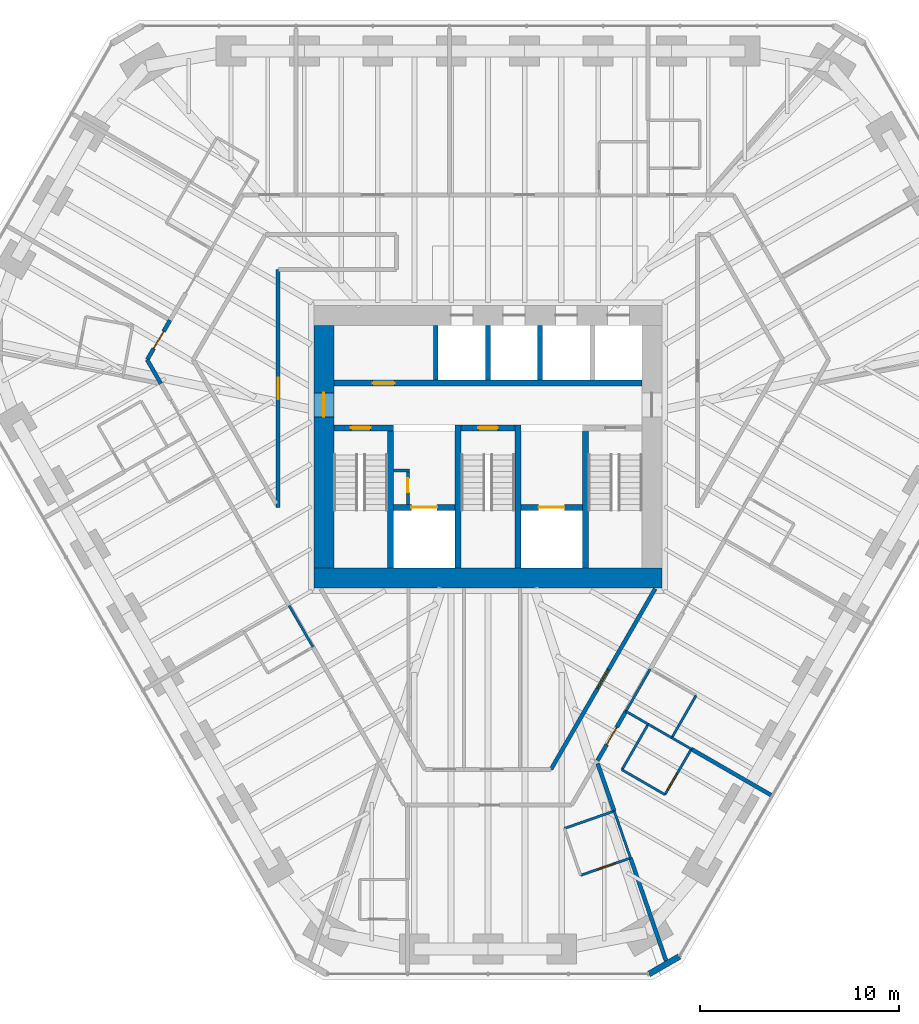
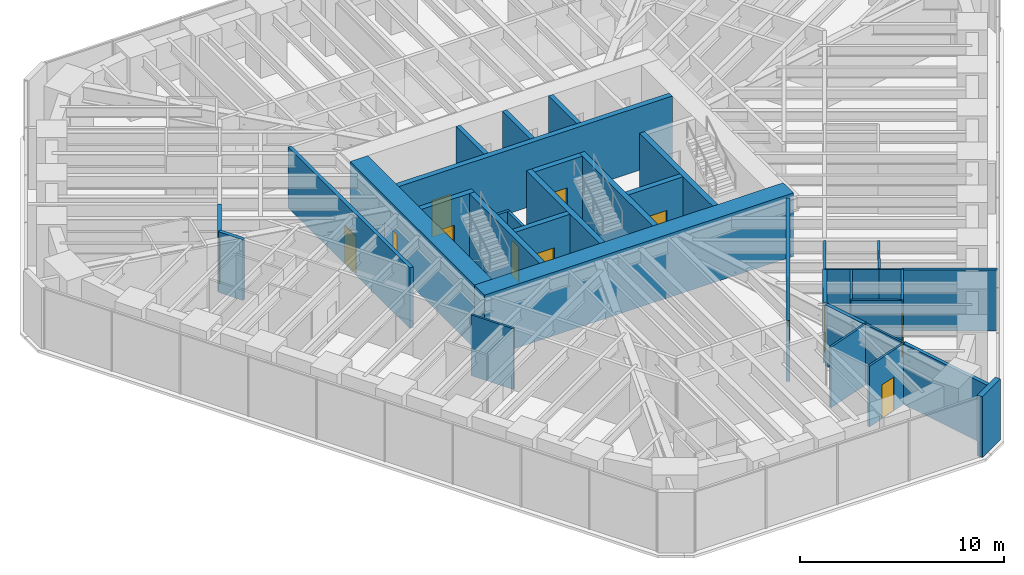
# One storey, part 12 of 16: 37 walls, 13 doors, 13 openings.
"""IFC4 building model written with IfcOpenShell, lengths in metres."""

from ifc_helpers import new_model, si_unit, direction, frame, frame_2d, origin, place, context, subcontext, project, spatial, rectangle, extrude, material, layer, layer_set, type_object, element, fill, save


model = new_model("IFC4")

# Units and contexts
model_context = context("Model", 3, precision=1e-05, world=origin(), true_north=direction((0.0, 1.0)))
body_context = subcontext(model_context, "Body", "Model", "MODEL_VIEW")
ifc_project = project(units=[si_unit("LENGTHUNIT", "METRE"), si_unit("AREAUNIT", "SQUARE_METRE"), si_unit("VOLUMEUNIT", "CUBIC_METRE"), si_unit("PLANEANGLEUNIT", "RADIAN"), si_unit("MASSUNIT", "GRAM", prefix="KILO")], contexts=[model_context])

# Site, building, storey
site_placement = place(None, origin())
site = spatial("IfcSite", under=ifc_project, at=site_placement, CompositionType="ELEMENT")
building_placement = place(site_placement, origin())
building = spatial("IfcBuilding", under=site, at=building_placement, Name="Sandreach Pilgrim Tower", CompositionType="ELEMENT")
storey_placement = place(building_placement, frame((0.0, 0.0, 225.0)))
storey = spatial("IfcBuildingStorey", under=building, at=storey_placement, Name="L56", CompositionType="ELEMENT", Elevation=225.0)

# Wall
ifc_material_1 = material(Name="Moisture-resistant gypsum board on steel studs", Category="steel")
ifc_layer_1 = layer(ifc_material_1, 0.1201171875)
ifc_layer_set_1 = layer_set([ifc_layer_1], Name="Bathroom partition 120")
wall_type_1 = type_object("IfcWallType", Name="Bathroom partition 120", PredefinedType="PARTITIONING", material=ifc_layer_set_1)
wall_1_placement = place(storey_placement, frame((-10.0, -8.0, 0.0), z_axis=(0.0, 0.0, 1.0), x_axis=(0.499693115345, -0.866202511239, 0.0)))
element("IfcWall", 1, at=wall_1_placement, inside=storey, type_object=wall_type_1, Name="Bathroom partition L56-040", PredefinedType="PARTITIONING", context=body_context, shape_type="SweptSolid", body=[
    extrude(rectangle(XDim=2.4013671875, YDim=0.1201171875, at=frame_2d((1.20068359375, 0.0))), origin(), (0.0, 0.0, 1.0), 3.639892578125),
])

# Wall, opening, door
wall_2_placement = place(storey_placement, frame((4.659912109375, -21.56005859375, 0.0), z_axis=(0.0, 0.0, 1.0), x_axis=(0.944838473769, 0.327536652126, 0.0)))
wall_2 = element("IfcWall", 2, at=wall_2_placement, inside=storey, type_object=wall_type_1, Name="Bathroom partition L56-068", PredefinedType="PARTITIONING", context=body_context, shape_type="SweptSolid", body=[
    extrude(rectangle(XDim=2.656494140625, YDim=0.1201171875, at=frame_2d((1.328125, 0.0))), origin(), (0.0, 0.0, 1.0), 3.639892578125),
])
opening_1_placement = place(wall_2_placement, frame((0.949951171875, 0.0, 0.0)))
opening_1 = element("IfcOpeningElement", 3, at=opening_1_placement, cuts=wall_2, Name="Opening D09-09B", PredefinedType="OPENING", context=body_context, shape_type="SweptSolid", body=[
    extrude(rectangle(XDim=0.89990234375, YDim=2.030029296875, at=frame_2d((0.449951171875, 1.01513671875))), frame((0.0, 0.06005859375, 0.0), z_axis=(0.0, -1.0, 0.0), x_axis=(1.0, 0.0, 0.0)), (0.0, 0.0, 1.0), 0.1201171875),
])
ifc_material_2 = material(Name="Timber door, steel frame", Category="steel")
door_type_1 = type_object("IfcDoorType", Name="Bathroom door", OperationType="SINGLE_SWING_LEFT", PredefinedType="DOOR", material=ifc_material_2)
door_1_placement = place(opening_1_placement, origin())
door_1 = element("IfcDoor", 4, at=door_1_placement, inside=storey, type_object=door_type_1, Name="Door 5609B", OperationType="SINGLE_SWING_RIGHT", OverallHeight=2.030029296875, OverallWidth=0.89990234375, PredefinedType="DOOR", context=body_context, shape_type="SweptSolid", body=[
    extrude(rectangle(XDim=0.89990234375, YDim=2.030029296875, at=frame_2d((0.449951171875, 1.01513671875))), frame((0.0, 0.02490234375, 0.0), z_axis=(0.0, -1.0, 0.0), x_axis=(1.0, 0.0, 0.0)), (0.0, 0.0, 1.0), 0.050048828125),
])
fill(opening_1, door_1)

# Walls
wall_3_placement = place(storey_placement, frame((6.35009765625, -18.330078125, 0.0), z_axis=(0.0, 0.0, 1.0), x_axis=(-0.944470666048, -0.328595740956, 0.0)))
element("IfcWall", 5, at=wall_3_placement, inside=storey, type_object=wall_type_1, Name="Bathroom partition L56-074", PredefinedType="PARTITIONING", context=body_context, shape_type="SweptSolid", body=[
    extrude(rectangle(XDim=2.647216796875, YDim=0.1201171875, at=frame_2d((1.32373046875, 0.0))), origin(), (0.0, 0.0, 1.0), 3.639892578125),
])
wall_4_placement = place(storey_placement, frame((6.35009765625, -18.330078125, 0.0), z_axis=(0.0, 0.0, 1.0), x_axis=(0.328164304993, -0.944620658745, 0.0)))
element("IfcWall", 6, at=wall_4_placement, inside=storey, type_object=wall_type_1, Name="Bathroom partition L56-075", PredefinedType="PARTITIONING", context=body_context, shape_type="SweptSolid", body=[
    extrude(rectangle(XDim=2.498291015625, YDim=0.1201171875, at=frame_2d((1.2490234375, 0.0))), origin(), (0.0, 0.0, 1.0), 3.639892578125),
])
wall_5_placement = place(storey_placement, frame((6.739990234375, -16.25, 0.0), z_axis=(0.0, 0.0, 1.0), x_axis=(0.865508881864, -0.500893576935, 0.0)))
element("IfcWall", 7, at=wall_5_placement, inside=storey, type_object=wall_type_1, Name="Bathroom partition L56-076", PredefinedType="PARTITIONING", context=body_context, shape_type="SweptSolid", body=[
    extrude(rectangle(XDim=2.49560546875, YDim=0.1201171875, at=frame_2d((1.247802734375, 0.0))), origin(), (0.0, 0.0, 1.0), 3.639892578125),
])
wall_6_placement = place(storey_placement, frame((6.93994140625, -13.31005859375, 0.0), z_axis=(0.0, 0.0, 1.0), x_axis=(0.864952631286, -0.501853510132, 0.0)))
element("IfcWall", 8, at=wall_6_placement, inside=storey, type_object=wall_type_1, Name="Bathroom partition L56-077", PredefinedType="PARTITIONING", context=body_context, shape_type="SweptSolid", body=[
    extrude(rectangle(XDim=1.294921875, YDim=0.1201171875, at=frame_2d((0.6474609375, 0.0))), origin(), (0.0, 0.0, 1.0), 3.639892578125),
])
wall_7_placement = place(storey_placement, frame((6.93994140625, -13.31005859375, 0.0), z_axis=(0.0, 0.0, 1.0), x_axis=(0.498748634132, 0.866746675766, 0.0)))
element("IfcWall", 9, at=wall_7_placement, inside=storey, type_object=wall_type_1, Name="Bathroom partition L56-078", PredefinedType="PARTITIONING", context=body_context, shape_type="SweptSolid", body=[
    extrude(rectangle(XDim=2.446044921875, YDim=0.1201171875, at=frame_2d((1.22314453125, 0.0))), origin(), (0.0, 0.0, 1.0), 3.639892578125),
])
wall_8_placement = place(storey_placement, frame((8.06005859375, -13.9599609375, 0.0), z_axis=(0.0, 0.0, 1.0), x_axis=(-0.499407914056, -0.866366975004, 0.0)))
element("IfcWall", 10, at=wall_8_placement, inside=storey, type_object=wall_type_1, Name="Bathroom partition L56-080", PredefinedType="PARTITIONING", context=body_context, shape_type="SweptSolid", body=[
    extrude(rectangle(XDim=2.643310546875, YDim=0.1201171875, at=frame_2d((1.32177734375, 0.0))), origin(), (0.0, 0.0, 1.0), 3.639892578125),
])
wall_9_placement = place(storey_placement, frame((8.06005859375, -13.9599609375, 0.0), z_axis=(0.0, 0.0, 1.0), x_axis=(0.866505716338, -0.499167149914, 0.0)))
element("IfcWall", 11, at=wall_9_placement, inside=storey, type_object=wall_type_1, Name="Bathroom partition L56-081", PredefinedType="PARTITIONING", context=body_context, shape_type="SweptSolid", body=[
    extrude(rectangle(XDim=1.370361328125, YDim=0.1201171875, at=frame_2d((0.68505859375, 0.0))), origin(), (0.0, 0.0, 1.0), 3.639892578125),
])

# Wall, opening, door
wall_10_placement = place(storey_placement, frame((8.89990234375, -17.5, 0.0), z_axis=(0.0, 0.0, 1.0), x_axis=(0.502242265546, 0.864726954997, 0.0)))
wall_10 = element("IfcWall", 12, at=wall_10_placement, inside=storey, type_object=wall_type_1, Name="Bathroom partition L56-091", PredefinedType="PARTITIONING", context=body_context, shape_type="SweptSolid", body=[
    extrude(rectangle(XDim=2.648193359375, YDim=0.1201171875, at=frame_2d((1.32421875, 0.0))), origin(), (0.0, 0.0, 1.0), 3.639892578125),
])
opening_2_placement = place(wall_10_placement, frame((0.300048828125, 0.0, 0.0)))
opening_2 = element("IfcOpeningElement", 13, at=opening_2_placement, cuts=wall_10, Name="Opening D09-08B", PredefinedType="OPENING", context=body_context, shape_type="SweptSolid", body=[
    extrude(rectangle(XDim=0.89990234375, YDim=2.030029296875, at=frame_2d((0.449951171875, 1.01513671875))), frame((0.0, 0.06005859375, 0.0), z_axis=(0.0, -1.0, 0.0), x_axis=(1.0, 0.0, 0.0)), (0.0, 0.0, 1.0), 0.1201171875),
])
door_2_placement = place(opening_2_placement, origin())
door_2 = element("IfcDoor", 14, at=door_2_placement, inside=storey, type_object=door_type_1, Name="Door 5608B", OperationType="SINGLE_SWING_LEFT", OverallHeight=2.030029296875, OverallWidth=0.89990234375, PredefinedType="DOOR", context=body_context, shape_type="SweptSolid", body=[
    extrude(rectangle(XDim=0.89990234375, YDim=2.030029296875, at=frame_2d((0.449951171875, 1.01513671875))), frame((0.0, 0.02490234375, 0.0), z_axis=(0.0, -1.0, 0.0), x_axis=(1.0, 0.0, 0.0)), (0.0, 0.0, 1.0), 0.050048828125),
])
fill(opening_2, door_2)

# Walls
wall_11_placement = place(storey_placement, frame((9.24755859375, -14.64404296875, 0.0), z_axis=(0.0, 0.0, 1.0), x_axis=(0.866515213998, -0.499150662536, 0.0)))
element("IfcWall", 15, at=wall_11_placement, inside=storey, type_object=wall_type_1, Name="Bathroom partition L56-092", PredefinedType="PARTITIONING", context=body_context, shape_type="SweptSolid", body=[
    extrude(rectangle(XDim=1.1337890625, YDim=0.1201171875, at=frame_2d((0.56689453125, 0.0))), origin(), (0.0, 0.0, 1.0), 3.639892578125),
])
wall_12_placement = place(storey_placement, frame((9.25, -14.639892578125, 0.0), z_axis=(0.0, 0.0, 1.0), x_axis=(0.497027744361, 0.86773464915, 0.0)))
element("IfcWall", 16, at=wall_12_placement, inside=storey, type_object=wall_type_1, Name="Bathroom partition L56-093", PredefinedType="PARTITIONING", context=body_context, shape_type="SweptSolid", body=[
    extrude(rectangle(XDim=2.45458984375, YDim=0.1201171875, at=frame_2d((1.227294921875, 0.0))), origin(), (0.0, 0.0, 1.0), 3.639892578125),
])
ifc_material_3 = material(Name="Concrete 10000 psi", Category="concrete")
ifc_layer_2 = layer(ifc_material_3, 0.300048828125)
ifc_layer_set_2 = layer_set([ifc_layer_2], Name="Core inner wall 300")
wall_type_2 = type_object("IfcWallType", Name="Core inner wall 300", PredefinedType="SHEAR", material=ifc_layer_set_2)
for number, where, z_axis, x_axis, name in (
    (17, (-4.89990234375, -6.10009765625, 0.0), (0.0, 0.0, 1.0), (0.0, 1.0, 0.0), "Core wall I0 L56"),
    (18, (-1.5, -6.10009765625, 0.0), (0.0, 0.0, 1.0), (0.0, 1.0, 0.0), "Core wall I1 L56"),
    (19, (1.5, -6.10009765625, 0.0), (0.0, 0.0, 1.0), (0.0, 1.0, 0.0), "Core wall I2 L56"),
    (20, (4.89990234375, -6.10009765625, 0.0), (0.0, 0.0, 1.0), (0.0, 1.0, 0.0), "Core wall I3 L56"),
):
    element("IfcWall", number, at=place(storey_placement, frame(where, z_axis=z_axis, x_axis=x_axis)), inside=storey, type_object=wall_type_2, Name=name, PredefinedType="SHEAR", context=body_context, shape_type="SweptSolid", body=[
        extrude(rectangle(XDim=7.2001953125, YDim=0.300048828125, at=frame_2d((3.60009765625, 0.0))), origin(), (0.0, 0.0, 1.0), 3.800048828125),
    ])

# Wall, opening, door
wall_13_placement = place(storey_placement, frame((-7.75, 0.949951171875, 0.0), z_axis=(0.0, 0.0, 1.0), x_axis=(1.0, 0.0, 0.0)))
wall_13 = element("IfcWall", 21, at=wall_13_placement, inside=storey, type_object=wall_type_2, Name="Core wall SN1 L56", PredefinedType="SHEAR", context=body_context, shape_type="SweptSolid", body=[
    extrude(rectangle(XDim=3.0, YDim=0.300048828125, at=frame_2d((1.5, 0.0))), origin(), (0.0, 0.0, 1.0), 3.800048828125),
])
opening_3_placement = place(wall_13_placement, frame((0.85009765625, 0.0, 0.0)))
opening_3 = element("IfcOpeningElement", 22, at=opening_3_placement, cuts=wall_13, Name="Opening D10S-ST1", PredefinedType="OPENING", context=body_context, shape_type="SweptSolid", body=[
    extrude(rectangle(XDim=1.0, YDim=2.199951171875, at=frame_2d((0.5, 1.10009765625))), frame((0.0, 0.14990234375, 0.0), z_axis=(0.0, -1.0, 0.0), x_axis=(1.0, 0.0, 0.0)), (0.0, 0.0, 1.0), 0.300048828125),
])
ifc_material_4 = material(Name="Steel door and frame", Category="steel")
door_type_2 = type_object("IfcDoorType", Name="Stair door", OperationType="SINGLE_SWING_LEFT", PredefinedType="DOOR", material=ifc_material_4)
door_3_placement = place(opening_3_placement, origin())
door_3 = element("IfcDoor", 23, at=door_3_placement, inside=storey, type_object=door_type_2, Name="Stair door ST1 L56", OperationType="SINGLE_SWING_LEFT", OverallHeight=2.199951171875, OverallWidth=1.0, PredefinedType="DOOR", context=body_context, shape_type="SweptSolid", body=[
    extrude(rectangle(XDim=1.0, YDim=2.199951171875, at=frame_2d((0.5, 1.10009765625))), frame((0.0, 0.02490234375, 0.0), z_axis=(0.0, -1.0, 0.0), x_axis=(1.0, 0.0, 0.0)), (0.0, 0.0, 1.0), 0.050048828125),
])
fill(opening_3, door_3)

wall_14_placement = place(storey_placement, frame((-1.35009765625, 0.949951171875, 0.0), z_axis=(0.0, 0.0, 1.0), x_axis=(1.0, 0.0, 0.0)))
wall_14 = element("IfcWall", 24, at=wall_14_placement, inside=storey, type_object=wall_type_2, Name="Core wall SN3 L56", PredefinedType="SHEAR", context=body_context, shape_type="SweptSolid", body=[
    extrude(rectangle(XDim=2.7001953125, YDim=0.300048828125, at=frame_2d((1.35009765625, 0.0))), origin(), (0.0, 0.0, 1.0), 3.800048828125),
])
opening_4_placement = place(wall_14_placement, frame((0.85009765625, 0.0, 0.0)))
opening_4 = element("IfcOpeningElement", 25, at=opening_4_placement, cuts=wall_14, Name="Opening D10S-ST3", PredefinedType="OPENING", context=body_context, shape_type="SweptSolid", body=[
    extrude(rectangle(XDim=1.0, YDim=2.199951171875, at=frame_2d((0.5, 1.10009765625))), frame((0.0, 0.14990234375, 0.0), z_axis=(0.0, -1.0, 0.0), x_axis=(1.0, 0.0, 0.0)), (0.0, 0.0, 1.0), 0.300048828125),
])
door_4_placement = place(opening_4_placement, origin())
door_4 = element("IfcDoor", 26, at=door_4_placement, inside=storey, type_object=door_type_2, Name="Stair door ST3 L56", OperationType="SINGLE_SWING_LEFT", OverallHeight=2.199951171875, OverallWidth=1.0, PredefinedType="DOOR", context=body_context, shape_type="SweptSolid", body=[
    extrude(rectangle(XDim=1.0, YDim=2.199951171875, at=frame_2d((0.5, 1.10009765625))), frame((0.0, 0.02490234375, 0.0), z_axis=(0.0, -1.0, 0.0), x_axis=(1.0, 0.0, 0.0)), (0.0, 0.0, 1.0), 0.050048828125),
])
fill(opening_4, door_4)

wall_15_placement = place(storey_placement, frame((-4.75, -3.050048828125, 0.0), z_axis=(0.0, 0.0, 1.0), x_axis=(1.0, 0.0, 0.0)))
wall_15 = element("IfcWall", 27, at=wall_15_placement, inside=storey, type_object=wall_type_2, Name="Core wall FL1 L56", PredefinedType="SHEAR", context=body_context, shape_type="SweptSolid", body=[
    extrude(rectangle(XDim=3.10009765625, YDim=0.300048828125, at=frame_2d((1.550048828125, 0.0))), origin(), (0.0, 0.0, 1.0), 3.800048828125),
])
opening_5_placement = place(wall_15_placement, frame((0.89990234375, 0.0, 0.0)))
opening_5 = element("IfcOpeningElement", 28, at=opening_5_placement, cuts=wall_15, Name="Opening LD13", PredefinedType="OPENING", context=body_context, shape_type="SweptSolid", body=[
    extrude(rectangle(XDim=1.300048828125, YDim=2.10009765625, at=frame_2d((0.64990234375, 1.050048828125))), frame((0.0, 0.14990234375, 0.0), z_axis=(0.0, -1.0, 0.0), x_axis=(1.0, 0.0, 0.0)), (0.0, 0.0, 1.0), 0.300048828125),
])
ifc_material_5 = material(Name="Steel door and frame", Category="steel")
door_type_3 = type_object("IfcDoorType", Name="Fire service lift landing door", OperationType="DOUBLE_DOOR_SLIDING", PredefinedType="DOOR", material=ifc_material_5)
door_5_placement = place(opening_5_placement, origin())
door_5 = element("IfcDoor", 29, at=door_5_placement, inside=storey, type_object=door_type_3, Name="Lift landing door FS1 L56", OperationType="DOUBLE_DOOR_SLIDING", OverallHeight=2.10009765625, OverallWidth=1.300048828125, PredefinedType="DOOR", context=body_context, shape_type="SweptSolid", body=[
    extrude(rectangle(XDim=1.300048828125, YDim=2.10009765625, at=frame_2d((0.64990234375, 1.050048828125))), frame((0.0, 0.02490234375, 0.0), z_axis=(0.0, -1.0, 0.0), x_axis=(1.0, 0.0, 0.0)), (0.0, 0.0, 1.0), 0.050048828125),
])
fill(opening_5, door_5)

wall_16_placement = place(storey_placement, frame((1.64990234375, -3.050048828125, 0.0), z_axis=(0.0, 0.0, 1.0), x_axis=(1.0, 0.0, 0.0)))
wall_16 = element("IfcWall", 30, at=wall_16_placement, inside=storey, type_object=wall_type_2, Name="Core wall FL2 L56", PredefinedType="SHEAR", context=body_context, shape_type="SweptSolid", body=[
    extrude(rectangle(XDim=3.10009765625, YDim=0.300048828125, at=frame_2d((1.550048828125, 0.0))), origin(), (0.0, 0.0, 1.0), 3.800048828125),
])
opening_6_placement = place(wall_16_placement, frame((0.89990234375, 0.0, 0.0)))
opening_6 = element("IfcOpeningElement", 31, at=opening_6_placement, cuts=wall_16, Name="Opening LD13", PredefinedType="OPENING", context=body_context, shape_type="SweptSolid", body=[
    extrude(rectangle(XDim=1.300048828125, YDim=2.10009765625, at=frame_2d((0.64990234375, 1.050048828125))), frame((0.0, 0.14990234375, 0.0), z_axis=(0.0, -1.0, 0.0), x_axis=(1.0, 0.0, 0.0)), (0.0, 0.0, 1.0), 0.300048828125),
])
door_6_placement = place(opening_6_placement, origin())
door_6 = element("IfcDoor", 32, at=door_6_placement, inside=storey, type_object=door_type_3, Name="Lift landing door FS2 L56", OperationType="DOUBLE_DOOR_SLIDING", OverallHeight=2.10009765625, OverallWidth=1.300048828125, PredefinedType="DOOR", context=body_context, shape_type="SweptSolid", body=[
    extrude(rectangle(XDim=1.300048828125, YDim=2.10009765625, at=frame_2d((0.64990234375, 1.050048828125))), frame((0.0, 0.02490234375, 0.0), z_axis=(0.0, -1.0, 0.0), x_axis=(1.0, 0.0, 0.0)), (0.0, 0.0, 1.0), 0.050048828125),
])
fill(opening_6, door_6)

wall_17_placement = place(storey_placement, frame((-7.75, 3.199951171875, 0.0), z_axis=(0.0, 0.0, 1.0), x_axis=(1.0, 0.0, 0.0)))
wall_17 = element("IfcWall", 33, at=wall_17_placement, inside=storey, type_object=wall_type_2, Name="Core wall PN L56", PredefinedType="SHEAR", context=body_context, shape_type="SweptSolid", body=[
    extrude(rectangle(XDim=15.5, YDim=0.300048828125, at=frame_2d((7.75, 0.0))), origin(), (0.0, 0.0, 1.0), 3.800048828125),
])
opening_7_placement = place(wall_17_placement, frame((1.949951171875, 0.0, 0.0)))
opening_7 = element("IfcOpeningElement", 34, at=opening_7_placement, cuts=wall_17, Name="Opening D11L", PredefinedType="OPENING", context=body_context, shape_type="SweptSolid", body=[
    extrude(rectangle(XDim=1.10009765625, YDim=2.199951171875, at=frame_2d((0.550048828125, 1.10009765625))), frame((0.0, 0.14990234375, 0.0), z_axis=(0.0, -1.0, 0.0), x_axis=(1.0, 0.0, 0.0)), (0.0, 0.0, 1.0), 0.300048828125),
])
ifc_material_6 = material(Name="Steel door and frame, smoke seals", Category="steel")
door_type_4 = type_object("IfcDoorType", Name="Core room door", OperationType="SINGLE_SWING_LEFT", PredefinedType="DOOR", material=ifc_material_6)
door_7_placement = place(opening_7_placement, origin())
door_7 = element("IfcDoor", 35, at=door_7_placement, inside=storey, type_object=door_type_4, Name="Door linen and housekeeping store 56K1", OperationType="SINGLE_SWING_LEFT", OverallHeight=2.199951171875, OverallWidth=1.10009765625, PredefinedType="DOOR", context=body_context, shape_type="SweptSolid", body=[
    extrude(rectangle(XDim=1.10009765625, YDim=2.199951171875, at=frame_2d((0.550048828125, 1.10009765625))), frame((0.0, 0.02490234375, 0.0), z_axis=(0.0, -1.0, 0.0), x_axis=(1.0, 0.0, 0.0)), (0.0, 0.0, 1.0), 0.050048828125),
])
fill(opening_7, door_7)

# Wall
ifc_material_7 = material(Name="Concrete 10000 psi", Category="concrete")
ifc_layer_3 = layer(ifc_material_7, 1.0)
ifc_layer_set_3 = layer_set([ifc_layer_3], Name="Core wall 1000")
wall_type_3 = type_object("IfcWallType", Name="Core wall 1000", PredefinedType="SHEAR", material=ifc_layer_set_3)
wall_18_placement = place(storey_placement, frame((-8.75, -6.60009765625, 0.0), z_axis=(0.0, 0.0, 1.0), x_axis=(1.0, 0.0, 0.0)))
element("IfcWall", 36, at=wall_18_placement, inside=storey, type_object=wall_type_3, Name="Core wall S L56", PredefinedType="SHEAR", context=body_context, shape_type="SweptSolid", body=[
    extrude(rectangle(XDim=17.5, YDim=1.0, at=frame_2d((8.75, 0.0))), origin(), (0.0, 0.0, 1.0), 3.800048828125),
])

# Wall, opening, door
wall_19_placement = place(storey_placement, frame((-8.25, -6.10009765625, 0.0), z_axis=(0.0, 0.0, 1.0), x_axis=(0.0, 1.0, 0.0)))
wall_19 = element("IfcWall", 37, at=wall_19_placement, inside=storey, type_object=wall_type_3, Name="Core wall W L56", PredefinedType="SHEAR", context=body_context, shape_type="SweptSolid", body=[
    extrude(rectangle(XDim=12.2001953125, YDim=1.0, at=frame_2d((6.10009765625, 0.0))), origin(), (0.0, 0.0, 1.0), 3.800048828125),
])
opening_8_placement = place(wall_19_placement, frame((7.60009765625, 0.0, 0.0)))
opening_8 = element("IfcOpeningElement", 38, at=opening_8_placement, cuts=wall_19, Name="Opening D12F-W", PredefinedType="OPENING", context=body_context, shape_type="SweptSolid", body=[
    extrude(rectangle(XDim=1.199951171875, YDim=2.199951171875, at=frame_2d((0.60009765625, 1.10009765625))), frame((0.0, 0.5, 0.0), z_axis=(0.0, -1.0, 0.0), x_axis=(1.0, 0.0, 0.0)), (0.0, 0.0, 1.0), 1.0),
])
ifc_material_8 = material(Name="Steel door and frame", Category="steel")
door_type_5 = type_object("IfcDoorType", Name="Fire lobby door", OperationType="SINGLE_SWING_LEFT", PredefinedType="DOOR", material=ifc_material_8)
door_8_placement = place(opening_8_placement, origin())
door_8 = element("IfcDoor", 39, at=door_8_placement, inside=storey, type_object=door_type_5, Name="Fire service lobby door W L56", OperationType="SINGLE_SWING_RIGHT", OverallHeight=2.199951171875, OverallWidth=1.199951171875, PredefinedType="DOOR", context=body_context, shape_type="SweptSolid", body=[
    extrude(rectangle(XDim=1.199951171875, YDim=2.199951171875, at=frame_2d((0.60009765625, 1.10009765625))), frame((0.0, 0.02490234375, 0.0), z_axis=(0.0, -1.0, 0.0), x_axis=(1.0, 0.0, 0.0)), (0.0, 0.0, 1.0), 0.050048828125),
])
fill(opening_8, door_8)

# Wall
ifc_material_9 = material(Name="Gypsum board on steel studs, two layers each side", Category="steel")
ifc_layer_4 = layer(ifc_material_9, 0.199951171875)
ifc_layer_set_4 = layer_set([ifc_layer_4], Name="Corridor wall 200")
wall_type_4 = type_object("IfcWallType", Name="Corridor wall 200", PredefinedType="PARTITIONING", material=ifc_layer_set_4)
wall_20_placement = place(storey_placement, frame((-17.139892578125, 4.3701171875, 0.0), z_axis=(0.0, 0.0, 1.0), x_axis=(0.498378346744, -0.866959643522, 0.0)))
element("IfcWall", 40, at=wall_20_placement, inside=storey, type_object=wall_type_4, Name="Corridor wall L56-016", PredefinedType="PARTITIONING", context=body_context, shape_type="SweptSolid", body=[
    extrude(rectangle(XDim=1.38427734375, YDim=0.199951171875, at=frame_2d((0.692138671875, 0.0))), origin(), (0.0, 0.0, 1.0), 3.639892578125),
])

# Wall, opening, door
wall_21_placement = place(storey_placement, frame((-17.139892578125, 4.3701171875, 0.0), z_axis=(0.0, 0.0, 1.0), x_axis=(0.500320071569, 0.865840531498, 0.0)))
wall_21 = element("IfcWall", 41, at=wall_21_placement, inside=storey, type_object=wall_type_4, Name="Corridor wall L56-017", PredefinedType="PARTITIONING", context=body_context, shape_type="SweptSolid", body=[
    extrude(rectangle(XDim=2.29833984375, YDim=0.199951171875, at=frame_2d((1.149169921875, 0.0))), origin(), (0.0, 0.0, 1.0), 3.639892578125),
])
opening_9_placement = place(wall_21_placement, frame((0.649169921875, 0.0, 0.0)))
opening_9 = element("IfcOpeningElement", 42, at=opening_9_placement, cuts=wall_21, Name="Opening D10-14", PredefinedType="OPENING", context=body_context, shape_type="SweptSolid", body=[
    extrude(rectangle(XDim=1.0, YDim=2.1298828125, at=frame_2d((0.5, 1.06494140625))), frame((0.0, 0.10009765625, 0.0), z_axis=(0.0, -1.0, 0.0), x_axis=(1.0, 0.0, 0.0)), (0.0, 0.0, 1.0), 0.199951171875),
])
ifc_material_10 = material(Name="Steel door and frame", Category="steel")
door_type_6 = type_object("IfcDoorType", Name="Guest room entry door", OperationType="SINGLE_SWING_LEFT", PredefinedType="DOOR", material=ifc_material_10)
door_9_placement = place(opening_9_placement, origin())
door_9 = element("IfcDoor", 43, at=door_9_placement, inside=storey, type_object=door_type_6, Name="Door 5614", OperationType="SINGLE_SWING_LEFT", OverallHeight=2.1298828125, OverallWidth=1.0, PredefinedType="DOOR", context=body_context, shape_type="SweptSolid", body=[
    extrude(rectangle(XDim=1.0, YDim=2.1298828125, at=frame_2d((0.5, 1.06494140625))), frame((0.0, 0.02490234375, 0.0), z_axis=(0.0, -1.0, 0.0), x_axis=(1.0, 0.0, 0.0)), (0.0, 0.0, 1.0), 0.050048828125),
])
fill(opening_9, door_9)

wall_22_placement = place(storey_placement, frame((-10.550048828125, 8.89990234375, 0.0), z_axis=(0.0, 0.0, 1.0), x_axis=(0.0, -1.0, 0.0)))
wall_22 = element("IfcWall", 44, at=wall_22_placement, inside=storey, type_object=wall_type_4, Name="Corridor wall L56-039", PredefinedType="PARTITIONING", context=body_context, shape_type="SweptSolid", body=[
    extrude(rectangle(XDim=11.949951171875, YDim=0.199951171875, at=frame_2d((5.97509765625, 0.0))), origin(), (0.0, 0.0, 1.0), 3.639892578125),
])
opening_10_placement = place(wall_22_placement, frame((5.425048828125, 0.0, 0.0)))
opening_10 = element("IfcOpeningElement", 45, at=opening_10_placement, cuts=wall_22, Name="Opening D11H-M1", PredefinedType="OPENING", context=body_context, shape_type="SweptSolid", body=[
    extrude(rectangle(XDim=1.10009765625, YDim=2.199951171875, at=frame_2d((0.550048828125, 1.10009765625))), frame((0.0, 0.10009765625, 0.0), z_axis=(0.0, -1.0, 0.0), x_axis=(1.0, 0.0, 0.0)), (0.0, 0.0, 1.0), 0.199951171875),
])
ifc_material_11 = material(Name="Steel door and frame", Category="steel")
door_type_7 = type_object("IfcDoorType", Name="Back of house door", OperationType="SINGLE_SWING_LEFT", PredefinedType="DOOR", material=ifc_material_11)
door_10_placement = place(opening_10_placement, origin())
door_10 = element("IfcDoor", 46, at=door_10_placement, inside=storey, type_object=door_type_7, Name="Door 56M1", OperationType="SINGLE_SWING_LEFT", OverallHeight=2.199951171875, OverallWidth=1.10009765625, PredefinedType="DOOR", context=body_context, shape_type="SweptSolid", body=[
    extrude(rectangle(XDim=1.10009765625, YDim=2.199951171875, at=frame_2d((0.550048828125, 1.10009765625))), frame((0.0, 0.02490234375, 0.0), z_axis=(0.0, -1.0, 0.0), x_axis=(1.0, 0.0, 0.0)), (0.0, 0.0, 1.0), 0.050048828125),
])
fill(opening_10, door_10)

wall_23_placement = place(storey_placement, frame((5.510009765625, -15.7900390625, 0.0), z_axis=(0.0, 0.0, 1.0), x_axis=(0.499505868716, 0.866310502717, 0.0)))
wall_23 = element("IfcWall", 47, at=wall_23_placement, inside=storey, type_object=wall_type_4, Name="Corridor wall L56-070", PredefinedType="PARTITIONING", context=body_context, shape_type="SweptSolid", body=[
    extrude(rectangle(XDim=2.86279296875, YDim=0.199951171875, at=frame_2d((1.431396484375, 0.0))), origin(), (0.0, 0.0, 1.0), 3.639892578125),
])
opening_11_placement = place(wall_23_placement, frame((0.931396484375, 0.0, 0.0)))
opening_11 = element("IfcOpeningElement", 48, at=opening_11_placement, cuts=wall_23, Name="Opening D10-08", PredefinedType="OPENING", context=body_context, shape_type="SweptSolid", body=[
    extrude(rectangle(XDim=1.0, YDim=2.1298828125, at=frame_2d((0.5, 1.06494140625))), frame((0.0, 0.10009765625, 0.0), z_axis=(0.0, -1.0, 0.0), x_axis=(1.0, 0.0, 0.0)), (0.0, 0.0, 1.0), 0.199951171875),
])
door_11_placement = place(opening_11_placement, origin())
door_11 = element("IfcDoor", 49, at=door_11_placement, inside=storey, type_object=door_type_6, Name="Door 5608", OperationType="SINGLE_SWING_LEFT", OverallHeight=2.1298828125, OverallWidth=1.0, PredefinedType="DOOR", context=body_context, shape_type="SweptSolid", body=[
    extrude(rectangle(XDim=1.0, YDim=2.1298828125, at=frame_2d((0.5, 1.06494140625))), frame((0.0, 0.02490234375, 0.0), z_axis=(0.0, -1.0, 0.0), x_axis=(1.0, 0.0, 0.0)), (0.0, 0.0, 1.0), 0.050048828125),
])
fill(opening_11, door_11)

wall_24_placement = place(storey_placement, frame((8.409912109375, -7.14990234375, 0.0), z_axis=(0.0, 0.0, 1.0), x_axis=(-0.499828628176, -0.866124322748, 0.0)))
wall_24 = element("IfcWall", 50, at=wall_24_placement, inside=storey, type_object=wall_type_4, Name="Corridor wall L56-090", PredefinedType="PARTITIONING", context=body_context, shape_type="SweptSolid", body=[
    extrude(rectangle(XDim=10.483642578125, YDim=0.199951171875, at=frame_2d((5.24169921875, 0.0))), origin(), (0.0, 0.0, 1.0), 3.639892578125),
])
opening_12_placement = place(wall_24_placement, frame((4.691650390625, 0.0, 0.0)))
opening_12 = element("IfcOpeningElement", 51, at=opening_12_placement, cuts=wall_24, Name="Opening D11H-S4", PredefinedType="OPENING", context=body_context, shape_type="SweptSolid", body=[
    extrude(rectangle(XDim=1.10009765625, YDim=2.199951171875, at=frame_2d((0.550048828125, 1.10009765625))), frame((0.0, 0.10009765625, 0.0), z_axis=(0.0, -1.0, 0.0), x_axis=(1.0, 0.0, 0.0)), (0.0, 0.0, 1.0), 0.199951171875),
])
door_12_placement = place(opening_12_placement, origin())
door_12 = element("IfcDoor", 52, at=door_12_placement, inside=storey, type_object=door_type_7, Name="Door 56S4", OperationType="SINGLE_SWING_LEFT", OverallHeight=2.199951171875, OverallWidth=1.10009765625, PredefinedType="DOOR", context=body_context, shape_type="SweptSolid", body=[
    extrude(rectangle(XDim=1.10009765625, YDim=2.199951171875, at=frame_2d((0.550048828125, 1.10009765625))), frame((0.0, 0.02490234375, 0.0), z_axis=(0.0, -1.0, 0.0), x_axis=(1.0, 0.0, 0.0)), (0.0, 0.0, 1.0), 0.050048828125),
])
fill(opening_12, door_12)

# Walls
ifc_material_12 = material(Name="Double steel stud acoustic wall, gypsum board", Category="steel")
ifc_layer_5 = layer(ifc_material_12, 0.199951171875)
ifc_layer_set_5 = layer_set([ifc_layer_5], Name="Party wall 200")
wall_type_5 = type_object("IfcWallType", Name="Party wall 200", PredefinedType="PARTITIONING", material=ifc_layer_set_5)
wall_25_placement = place(storey_placement, frame((5.517822265625, -15.938720703125, 0.0), z_axis=(0.0, 0.0, 1.0), x_axis=(0.328696386896, -0.94443564378, 0.0)))
element("IfcWall", 53, at=wall_25_placement, inside=storey, type_object=wall_type_5, Name="Party wall L56-071", PredefinedType="PARTITIONING", context=body_context, shape_type="SweptSolid", body=[
    extrude(rectangle(XDim=2.531982421875, YDim=0.199951171875, at=frame_2d((1.26611328125, 0.0))), origin(), (0.0, 0.0, 1.0), 3.639892578125),
])
wall_26_placement = place(storey_placement, frame((7.169921875, -20.68994140625, 0.0), z_axis=(0.0, 0.0, 1.0), x_axis=(0.326821657676, -0.945086029985, 0.0)))
element("IfcWall", 54, at=wall_26_placement, inside=storey, type_object=wall_type_5, Name="Party wall L56-079", PredefinedType="PARTITIONING", context=body_context, shape_type="SweptSolid", body=[
    extrude(rectangle(XDim=5.631103515625, YDim=0.199951171875, at=frame_2d((2.8154296875, 0.0))), origin(), (0.0, 0.0, 1.0), 3.639892578125),
])
wall_27_placement = place(storey_placement, frame((10.22998046875, -15.2099609375, 0.0), z_axis=(0.0, 0.0, 1.0), x_axis=(0.86600796803, -0.500030198396, 0.0)))
element("IfcWall", 55, at=wall_27_placement, inside=storey, type_object=wall_type_5, Name="Party wall L56-094", PredefinedType="PARTITIONING", context=body_context, shape_type="SweptSolid", body=[
    extrude(rectangle(XDim=4.669677734375, YDim=0.199951171875, at=frame_2d((2.3349609375, 0.0))), origin(), (0.0, 0.0, 1.0), 3.639892578125),
])

# Wall, opening, door
ifc_material_13 = material(Name="Gypsum shaft wall on steel studs, shaft liner board", Category="steel")
ifc_layer_6 = layer(ifc_material_13, 0.14990234375)
ifc_layer_set_6 = layer_set([ifc_layer_6], Name="Riser shaft wall 150")
wall_type_6 = type_object("IfcWallType", Name="Riser shaft wall 150", PredefinedType="PARTITIONING", material=ifc_layer_set_6)
wall_28_placement = place(storey_placement, frame((-4.02490234375, -2.89990234375, 0.0), z_axis=(0.0, 0.0, 1.0), x_axis=(0.0, 1.0, 0.0)))
wall_28 = element("IfcWall", 56, at=wall_28_placement, inside=storey, type_object=wall_type_6, Name="Riser partition L56 side", PredefinedType="PARTITIONING", context=body_context, shape_type="SweptSolid", body=[
    extrude(rectangle(XDim=1.77490234375, YDim=0.14990234375, at=frame_2d((0.887451171875, 0.0))), origin(), (0.0, 0.0, 1.0), 3.639892578125),
])
opening_13_placement = place(wall_28_placement, frame((0.60009765625, 0.0, 0.0)))
opening_13 = element("IfcOpeningElement", 57, at=opening_13_placement, cuts=wall_28, Name="Opening D07R", PredefinedType="OPENING", context=body_context, shape_type="SweptSolid", body=[
    extrude(rectangle(XDim=0.699951171875, YDim=2.10009765625, at=frame_2d((0.35009765625, 1.050048828125))), frame((0.0, 0.074951171875, 0.0), z_axis=(0.0, -1.0, 0.0), x_axis=(1.0, 0.0, 0.0)), (0.0, 0.0, 1.0), 0.14990234375),
])
ifc_material_14 = material(Name="Steel door and frame, smoke seals", Category="steel")
door_type_8 = type_object("IfcDoorType", Name="Riser access door", OperationType="SINGLE_SWING_RIGHT", PredefinedType="DOOR", material=ifc_material_14)
door_13_placement = place(opening_13_placement, origin())
door_13 = element("IfcDoor", 58, at=door_13_placement, inside=storey, type_object=door_type_8, Name="Door riser 56ER", OperationType="SINGLE_SWING_RIGHT", OverallHeight=2.10009765625, OverallWidth=0.699951171875, PredefinedType="DOOR", context=body_context, shape_type="SweptSolid", body=[
    extrude(rectangle(XDim=0.699951171875, YDim=2.10009765625, at=frame_2d((0.35009765625, 1.050048828125))), frame((0.0, 0.02490234375, 0.0), z_axis=(0.0, -1.0, 0.0), x_axis=(1.0, 0.0, 0.0)), (0.0, 0.0, 1.0), 0.050048828125),
])
fill(opening_13, door_13)

# Walls
wall_29_placement = place(storey_placement, frame((-4.75, -1.199951171875, 0.0), z_axis=(0.0, 0.0, 1.0), x_axis=(1.0, 0.0, 0.0)))
element("IfcWall", 59, at=wall_29_placement, inside=storey, type_object=wall_type_6, Name="Riser partition L56 front", PredefinedType="PARTITIONING", context=body_context, shape_type="SweptSolid", body=[
    extrude(rectangle(XDim=0.800048828125, YDim=0.14990234375, at=frame_2d((0.39990234375, 0.0))), origin(), (0.0, 0.0, 1.0), 3.639892578125),
])
ifc_material_15 = material(Name="Gypsum shaft wall on steel studs, two layers of shaft liner board", Category="steel")
ifc_layer_7 = layer(ifc_material_15, 0.25)
ifc_layer_set_7 = layer_set([ifc_layer_7], Name="Shaft partition 250")
wall_type_7 = type_object("IfcWallType", Name="Shaft partition 250", PredefinedType="PARTITIONING", material=ifc_layer_set_7)
for number, where, z_axis, x_axis, name in (
    (60, (-2.625, 3.35009765625, 0.0), (0.0, 0.0, 1.0), (0.0, 1.0, 0.0), "Shaft partition NS1 L56"),
    (61, (0.0, 3.35009765625, 0.0), (0.0, 0.0, 1.0), (0.0, 1.0, 0.0), "Shaft partition NS2 L56"),
    (62, (2.625, 3.35009765625, 0.0), (0.0, 0.0, 1.0), (0.0, 1.0, 0.0), "Shaft partition NS3 L56"),
):
    element("IfcWall", number, at=place(storey_placement, frame(where, z_axis=z_axis, x_axis=x_axis)), inside=storey, type_object=wall_type_7, Name=name, PredefinedType="PARTITIONING", context=body_context, shape_type="SweptSolid", body=[
        extrude(rectangle(XDim=2.75, YDim=0.25, at=frame_2d((1.375, 0.0))), origin(), (0.0, 0.0, 1.0), 3.800048828125),
    ])
ifc_material_16 = material(Name="Terracotta rainscreen on concrete", Category="masonry")
ifc_layer_8 = layer(ifc_material_16, 0.300048828125)
ifc_layer_set_8 = layer_set([ifc_layer_8], Name="Terracotta chamfer pier")
wall_type_8 = type_object("IfcWallType", Name="Terracotta chamfer pier", PredefinedType="SOLIDWALL", material=ifc_layer_set_8)
wall_30_placement = place(storey_placement, frame((9.63037109375, -25.64013671875, 0.0), z_axis=(0.0, 0.0, 1.0), x_axis=(-0.866036293601, -0.499981137809, 0.0)))
element("IfcWall", 63, at=wall_30_placement, inside=storey, type_object=wall_type_8, Name="Chamfer pier L56 SE", PredefinedType="SOLIDWALL", context=body_context, shape_type="SweptSolid", body=[
    extrude(rectangle(XDim=1.77001953125, YDim=0.300048828125, at=frame_2d((0.885009765625, 0.0))), origin(), (0.0, 0.0, 1.0), 3.639892578125),
])

save(model, "model.ifc")
